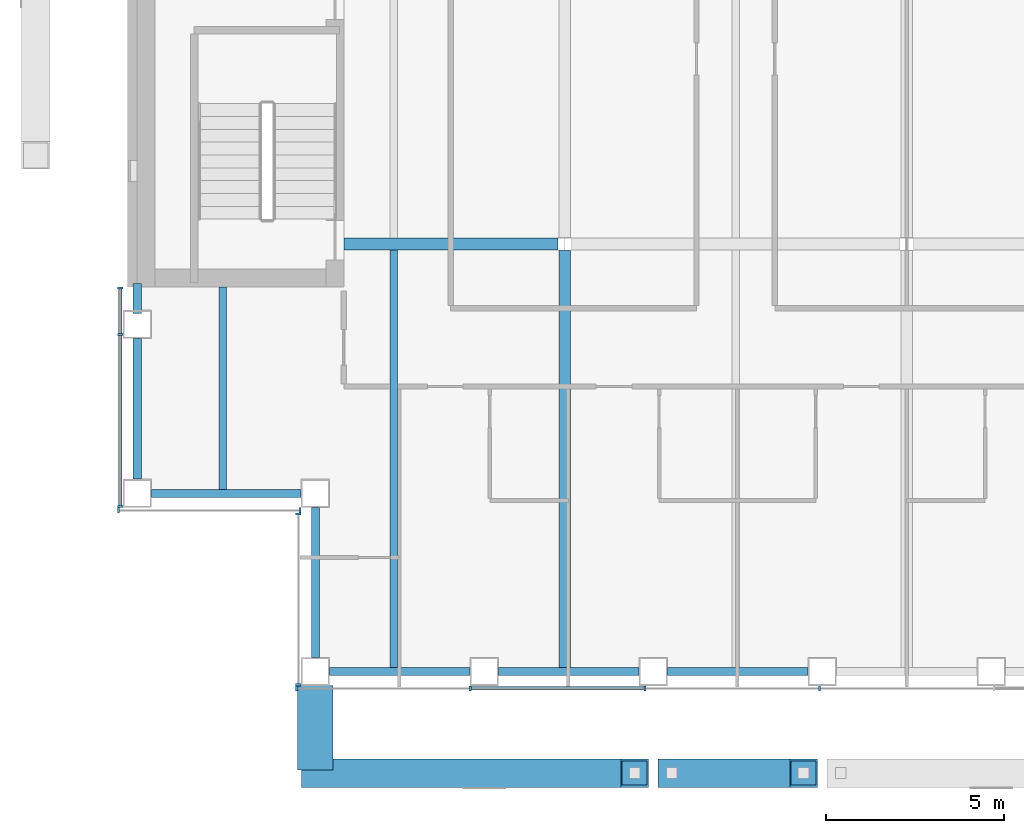
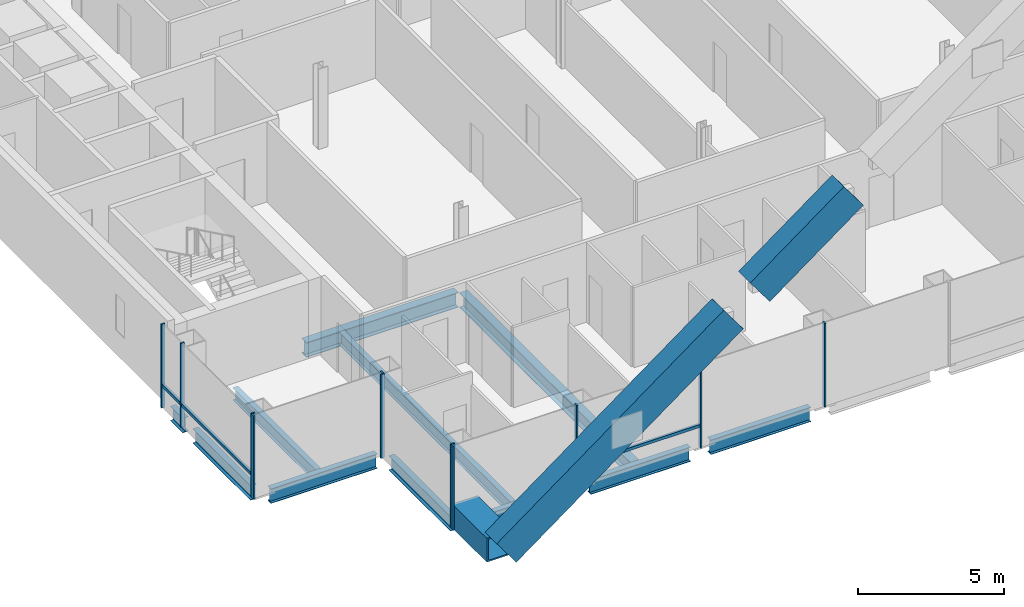
# One storey, part 3 of 17: 16 members, 12 beams, 4 elements without a shape of their own.
"""IFC4 building model written with IfcOpenShell, lengths in metres."""

from ifc_helpers import new_model, si_unit, direction, frame, origin, origin_2d, place, context, subcontext, project, spatial, rectangle, hollow_rectangle, i_section, extrude, material, material_profile, profile_set, type_object, element, aggregate, save


model = new_model("IFC4")

# Units and contexts
model_context = context("Model", 3, precision=1e-05, world=origin(), true_north=direction((0.0, 1.0)))
body_context = subcontext(model_context, "Body", "Model", "MODEL_VIEW")
ifc_project = project(units=[si_unit("LENGTHUNIT", "METRE"), si_unit("AREAUNIT", "SQUARE_METRE"), si_unit("VOLUMEUNIT", "CUBIC_METRE"), si_unit("PLANEANGLEUNIT", "RADIAN"), si_unit("MASSUNIT", "GRAM", prefix="KILO")], contexts=[model_context])

# Site, building, storey
site_placement = place(None, origin())
site = spatial("IfcSite", under=ifc_project, at=site_placement, CompositionType="ELEMENT")
building_placement = place(site_placement, origin())
building = spatial("IfcBuilding", under=site, at=building_placement, Name="Cobrizo Arcos Hotel Tower", CompositionType="ELEMENT")
storey_placement = place(building_placement, frame((0.0, 0.0, 151.5)))
storey = spatial("IfcBuildingStorey", under=building, at=storey_placement, Name="L38", CompositionType="ELEMENT", Elevation=151.5)

# Beam
ifc_material_1 = material(Name="Steel ASTM A572 Grade 50", Category="steel")
ifc_material_profile_1 = material_profile(ifc_material_1, hollow_rectangle(XDim=1.0, YDim=1.0, WallThickness=0.06005859375, at=origin_2d()), Name="BOX 1000X1000X60")
ifc_profile_set_1 = profile_set([ifc_material_profile_1], Name="Steel ASTM A572 Grade 50")
beam_type_1 = type_object("IfcBeamType", Name="BOX 1000X1000X60 brace connector strut", PredefinedType="BEAM", material=ifc_profile_set_1)
beam_1_placement = place(storey_placement, frame((-16.60009765625, -21.989990234375, 0.5), z_axis=(0.0, -1.0, 0.0), x_axis=(1.0, 0.0, 0.0)))
element("IfcBeam", 1, at=beam_1_placement, inside=storey, type_object=beam_type_1, Name="Perimeter brace stub BS1, zone Z3, south face, offset -16.60 m, L38", PredefinedType="BEAM", context=body_context, shape_type="SweptSolid", body=[
    extrude(hollow_rectangle(XDim=1.0, YDim=1.0, WallThickness=0.06005859375, at=origin_2d()), origin(), (0.0, 0.0, 1.0), 2.380126953125),
])

# Members
ifc_material_profile_2 = material_profile(ifc_material_1, hollow_rectangle(XDim=0.800048828125, YDim=1.300048828125, WallThickness=0.06005859375, at=origin_2d()), Name="BOX 800X1300X60")
ifc_profile_set_2 = profile_set([ifc_material_profile_2], Name="Steel ASTM A572 Grade 50")
member_type_1 = type_object("IfcMemberType", Name="BOX 800X1300X60 perimeter brace", PredefinedType="BRACE", material=ifc_profile_set_2)
member_1_placement = place(storey_placement, frame((-16.60009765625, -24.449951171875, 0.5), z_axis=(0.804628681962, 0.0, 0.593778312305), x_axis=(0.0, 1.0, 0.0)))
element("IfcMember", 2, at=member_1_placement, inside=storey, type_object=member_type_1, Name="Perimeter brace PBR3, zone Z3, south face, no. 06", PredefinedType="BRACE", context=body_context, shape_type="SweptSolid", body=[
    extrude(hollow_rectangle(XDim=0.800048828125, YDim=1.300048828125, WallThickness=0.06005859375, at=origin_2d()), origin(), (0.0, 0.0, 1.0), 11.138916015625),
])
member_2_placement = place(storey_placement, frame((-6.591064453125, -24.449951171875, 7.885986328125), z_axis=(0.804612164142, 0.0, 0.593800694943), x_axis=(0.0, 1.0, 0.0)))
element("IfcMember", 3, at=member_2_placement, inside=storey, type_object=member_type_1, Name="Perimeter brace PBR3, zone Z3, south face, no. 06b", PredefinedType="BRACE", context=body_context, shape_type="SweptSolid", body=[
    extrude(hollow_rectangle(XDim=0.800048828125, YDim=1.300048828125, WallThickness=0.06005859375, at=origin_2d()), origin(), (0.0, 0.0, 1.0), 4.59423828125),
])

# Curtain wall, members
ifc_material_2 = material(Name="Aluminium 6063-T6 anodised bronze", Category="aluminium")
curtain_wall_type = type_object("IfcCurtainWallType", Name="CW-A guest facade", PredefinedType="NOTDEFINED", material=ifc_material_2)
curtain_wall_1_placement = place(storey_placement, origin())
curtain_wall_1 = element("IfcCurtainWall", 4, at=curtain_wall_1_placement, inside=storey, type_object=curtain_wall_type, Name="CW-A L38 S face", PredefinedType="NOTDEFINED")
ifc_material_profile_3 = material_profile(ifc_material_2, rectangle(XDim=0.14990234375, YDim=0.06005859375, at=origin_2d()), Name="CW-A mullion 150x60")
ifc_profile_set_3 = profile_set([ifc_material_profile_3], Name="Aluminium 6063-T6 anodised bronze")
member_type_2 = type_object("IfcMemberType", Name="CW-A mullion 150x60", PredefinedType="MULLION", material=ifc_profile_set_3)
member_3_placement = place(storey_placement, frame((-17.1201171875, -22.074951171875, 0.0), z_axis=(0.0, 0.0, 1.0), x_axis=(0.0, -1.0, 0.0)))
member_3 = element("IfcMember", 5, at=member_3_placement, type_object=member_type_2, Name="CW-A mullion 1", PredefinedType="MULLION", context=body_context, shape_type="SweptSolid", body=[
    extrude(rectangle(XDim=0.14990234375, YDim=0.06005859375, at=origin_2d()), origin(), (0.0, 0.0, 1.0), 3.5),
])
member_4_placement = place(storey_placement, frame((-12.25, -22.074951171875, 0.0), z_axis=(0.0, 0.0, 1.0), x_axis=(0.0, -1.0, 0.0)))
member_4 = element("IfcMember", 6, at=member_4_placement, type_object=member_type_2, Name="CW-A mullion 2", PredefinedType="MULLION", context=body_context, shape_type="SweptSolid", body=[
    extrude(rectangle(XDim=0.14990234375, YDim=0.06005859375, at=origin_2d()), origin(), (0.0, 0.0, 1.0), 3.5),
])
member_5_placement = place(storey_placement, frame((-7.35009765625, -22.074951171875, 0.0), z_axis=(0.0, 0.0, 1.0), x_axis=(0.0, -1.0, 0.0)))
member_5 = element("IfcMember", 7, at=member_5_placement, type_object=member_type_2, Name="CW-A mullion 3", PredefinedType="MULLION", context=body_context, shape_type="SweptSolid", body=[
    extrude(rectangle(XDim=0.14990234375, YDim=0.06005859375, at=origin_2d()), origin(), (0.0, 0.0, 1.0), 3.5),
])
member_6_placement = place(storey_placement, frame((-2.449951171875, -22.074951171875, 0.0), z_axis=(0.0, 0.0, 1.0), x_axis=(0.0, -1.0, 0.0)))
member_6 = element("IfcMember", 8, at=member_6_placement, type_object=member_type_2, Name="CW-A mullion 4", PredefinedType="MULLION", context=body_context, shape_type="SweptSolid", body=[
    extrude(rectangle(XDim=0.14990234375, YDim=0.06005859375, at=origin_2d()), origin(), (0.0, 0.0, 1.0), 3.5),
])

curtain_wall_2_placement = place(storey_placement, origin())
curtain_wall_2 = element("IfcCurtainWall", 9, at=curtain_wall_2_placement, inside=storey, type_object=curtain_wall_type, Name="CW-A L38 W face", PredefinedType="NOTDEFINED")
member_7_placement = place(storey_placement, frame((-22.074951171875, -10.830078125, 0.0), z_axis=(0.0, 0.0, 1.0), x_axis=(-1.0, 0.0, 0.0)))
member_7 = element("IfcMember", 10, at=member_7_placement, type_object=member_type_2, Name="CW-A mullion 1", PredefinedType="MULLION", context=body_context, shape_type="SweptSolid", body=[
    extrude(rectangle(XDim=0.14990234375, YDim=0.06005859375, at=origin_2d()), origin(), (0.0, 0.0, 1.0), 3.5),
])
member_8_placement = place(storey_placement, frame((-22.074951171875, -12.142822265625, 0.0), z_axis=(0.0, 0.0, 1.0), x_axis=(-1.0, 0.0, 0.0)))
member_8 = element("IfcMember", 11, at=member_8_placement, type_object=member_type_2, Name="CW-A mullion 2", PredefinedType="MULLION", context=body_context, shape_type="SweptSolid", body=[
    extrude(rectangle(XDim=0.14990234375, YDim=0.06005859375, at=origin_2d()), origin(), (0.0, 0.0, 1.0), 3.5),
])
member_9_placement = place(storey_placement, frame((-22.074951171875, -16.969970703125, 0.0), z_axis=(0.0, 0.0, 1.0), x_axis=(-1.0, 0.0, 0.0)))
member_9 = element("IfcMember", 12, at=member_9_placement, type_object=member_type_2, Name="CW-A mullion 3", PredefinedType="MULLION", context=body_context, shape_type="SweptSolid", body=[
    extrude(rectangle(XDim=0.14990234375, YDim=0.06005859375, at=origin_2d()), origin(), (0.0, 0.0, 1.0), 3.5),
])

curtain_wall_3_placement = place(storey_placement, origin())
curtain_wall_3 = element("IfcCurtainWall", 13, at=curtain_wall_3_placement, inside=storey, type_object=curtain_wall_type, Name="CW-A L38 S face", PredefinedType="NOTDEFINED")
member_10_placement = place(storey_placement, frame((-22.1201171875, -17.074951171875, 0.0), z_axis=(0.0, 0.0, 1.0), x_axis=(0.0, -1.0, 0.0)))
member_10 = element("IfcMember", 14, at=member_10_placement, type_object=member_type_2, Name="CW-A mullion 1", PredefinedType="MULLION", context=body_context, shape_type="SweptSolid", body=[
    extrude(rectangle(XDim=0.14990234375, YDim=0.06005859375, at=origin_2d()), origin(), (0.0, 0.0, 1.0), 3.5),
])
member_11_placement = place(storey_placement, frame((-17.030029296875, -17.074951171875, 0.0), z_axis=(0.0, 0.0, 1.0), x_axis=(0.0, -1.0, 0.0)))
member_11 = element("IfcMember", 15, at=member_11_placement, type_object=member_type_2, Name="CW-A mullion 2", PredefinedType="MULLION", context=body_context, shape_type="SweptSolid", body=[
    extrude(rectangle(XDim=0.14990234375, YDim=0.06005859375, at=origin_2d()), origin(), (0.0, 0.0, 1.0), 3.5),
])
aggregate(curtain_wall_3, [member_10, member_11])

curtain_wall_4_placement = place(storey_placement, origin())
curtain_wall_4 = element("IfcCurtainWall", 16, at=curtain_wall_4_placement, inside=storey, type_object=curtain_wall_type, Name="CW-A L38 W face", PredefinedType="NOTDEFINED")
member_12_placement = place(storey_placement, frame((-17.074951171875, -17.179931640625, 0.0), z_axis=(0.0, 0.0, 1.0), x_axis=(-1.0, 0.0, 0.0)))
member_12 = element("IfcMember", 17, at=member_12_placement, type_object=member_type_2, Name="CW-A mullion 1", PredefinedType="MULLION", context=body_context, shape_type="SweptSolid", body=[
    extrude(rectangle(XDim=0.14990234375, YDim=0.06005859375, at=origin_2d()), origin(), (0.0, 0.0, 1.0), 3.5),
])
member_13_placement = place(storey_placement, frame((-17.074951171875, -21.969970703125, 0.0), z_axis=(0.0, 0.0, 1.0), x_axis=(-1.0, 0.0, 0.0)))
member_13 = element("IfcMember", 18, at=member_13_placement, type_object=member_type_2, Name="CW-A mullion 2", PredefinedType="MULLION", context=body_context, shape_type="SweptSolid", body=[
    extrude(rectangle(XDim=0.14990234375, YDim=0.06005859375, at=origin_2d()), origin(), (0.0, 0.0, 1.0), 3.5),
])
aggregate(curtain_wall_4, [member_12, member_13])

# Member
ifc_material_profile_4 = material_profile(ifc_material_2, rectangle(XDim=0.10009765625, YDim=0.1201171875, at=origin_2d()), Name="CW-A transom 120x100")
ifc_profile_set_4 = profile_set([ifc_material_profile_4], Name="Aluminium 6063-T6 anodised bronze")
member_type_3 = type_object("IfcMemberType", Name="CW-A transom 120x100", PredefinedType="USERDEFINED", material=ifc_profile_set_4)
member_14_placement = place(storey_placement, frame((-12.219970703125, -22.074951171875, 0.929931640625), z_axis=(1.0, 0.0, 0.0), x_axis=(0.0, 1.0, 0.0)))
member_14 = element("IfcMember", 19, at=member_14_placement, type_object=member_type_3, Name="CW-A transom 1367", ObjectType="TRANSOM", PredefinedType="USERDEFINED", context=body_context, shape_type="SweptSolid", body=[
    extrude(rectangle(XDim=0.10009765625, YDim=0.1201171875, at=origin_2d()), origin(), (0.0, 0.0, 1.0), 4.840087890625),
])

aggregate(curtain_wall_1, [member_3, member_4, member_5, member_6, member_14])

member_15_placement = place(storey_placement, frame((-22.074951171875, -10.860107421875, 0.929931640625), z_axis=(0.0, -1.0, 0.0), x_axis=(1.0, 0.0, 0.0)))
member_15 = element("IfcMember", 20, at=member_15_placement, type_object=member_type_3, Name="CW-A transom 1392", ObjectType="TRANSOM", PredefinedType="USERDEFINED", context=body_context, shape_type="SweptSolid", body=[
    extrude(rectangle(XDim=0.10009765625, YDim=0.1201171875, at=origin_2d()), origin(), (0.0, 0.0, 1.0), 1.252685546875),
])

member_16_placement = place(storey_placement, frame((-22.074951171875, -12.1728515625, 0.929931640625), z_axis=(0.0, -1.0, 0.0), x_axis=(1.0, 0.0, 0.0)))
member_16 = element("IfcMember", 21, at=member_16_placement, type_object=member_type_3, Name="CW-A transom 1393", ObjectType="TRANSOM", PredefinedType="USERDEFINED", context=body_context, shape_type="SweptSolid", body=[
    extrude(rectangle(XDim=0.10009765625, YDim=0.1201171875, at=origin_2d()), origin(), (0.0, 0.0, 1.0), 4.76708984375),
])

aggregate(curtain_wall_2, [member_7, member_8, member_9, member_15, member_16])

# Beams
ifc_material_3 = material(Name="Steel ASTM A992 Grade 50", Category="steel")
ifc_material_profile_5 = material_profile(ifc_material_3, i_section(OverallWidth=0.209228515625, OverallDepth=0.533447265625, WebThickness=0.01025390625, FlangeThickness=0.015625, at=origin_2d()), Name="W21X62")
ifc_profile_set_5 = profile_set([ifc_material_profile_5], Name="Steel ASTM A992 Grade 50")
beam_type_2 = type_object("IfcBeamType", Name="W21X62 joist", PredefinedType="JOIST", material=ifc_profile_set_5)
beam_2_placement = place(storey_placement, frame((-19.199951171875, -16.510009765625, -0.416748046875), z_axis=(0.0, 1.0, 0.0), x_axis=(-1.0, 0.0, 0.0)))
element("IfcBeam", 22, at=beam_2_placement, inside=storey, type_object=beam_type_2, Name="Floor joist J1, L38, no. 001", PredefinedType="JOIST", context=body_context, shape_type="SweptSolid", body=[
    extrude(i_section(OverallWidth=0.209228515625, OverallDepth=0.533447265625, WebThickness=0.01025390625, FlangeThickness=0.015625, at=origin_2d()), origin(), (0.0, 0.0, 1.0), 5.699951171875),
])
beam_3_placement = place(storey_placement, frame((-14.39990234375, -21.510009765625, -0.416748046875), z_axis=(0.0, 1.0, 0.0), x_axis=(-1.0, 0.0, 0.0)))
element("IfcBeam", 23, at=beam_3_placement, inside=storey, type_object=beam_type_2, Name="Floor joist J1, L38, no. 003", PredefinedType="JOIST", context=body_context, shape_type="SweptSolid", body=[
    extrude(i_section(OverallWidth=0.209228515625, OverallDepth=0.533447265625, WebThickness=0.01025390625, FlangeThickness=0.015625, at=origin_2d()), origin(), (0.0, 0.0, 1.0), 11.74609375),
])
ifc_material_profile_6 = material_profile(ifc_material_3, i_section(OverallWidth=0.32763671875, OverallDepth=0.622314453125, WebThickness=0.015380859375, FlangeThickness=0.0244140625, at=origin_2d()), Name="W24X131")
ifc_profile_set_6 = profile_set([ifc_material_profile_6], Name="Steel ASTM A992 Grade 50")
beam_type_3 = type_object("IfcBeamType", Name="W24X131 girder", PredefinedType="BEAM", material=ifc_profile_set_6)
beam_4_placement = place(storey_placement, frame((-15.7900390625, -9.60009765625, -0.461181640625), z_axis=(1.0, 0.0, 0.0), x_axis=(0.0, 1.0, 0.0)))
element("IfcBeam", 24, at=beam_4_placement, inside=storey, type_object=beam_type_3, Name="Floor girder G1, L38, no. 001", PredefinedType="BEAM", context=body_context, shape_type="SweptSolid", body=[
    extrude(i_section(OverallWidth=0.32763671875, OverallDepth=0.622314453125, WebThickness=0.015380859375, FlangeThickness=0.0244140625, at=origin_2d()), origin(), (0.0, 0.0, 1.0), 6.00341796875),
])
beam_5_placement = place(storey_placement, frame((-9.60009765625, -21.510009765625, -0.461181640625), z_axis=(0.0, 1.0, 0.0), x_axis=(-1.0, 0.0, 0.0)))
element("IfcBeam", 25, at=beam_5_placement, inside=storey, type_object=beam_type_3, Name="Floor girder G1, L38, no. 013", PredefinedType="BEAM", context=body_context, shape_type="SweptSolid", body=[
    extrude(i_section(OverallWidth=0.32763671875, OverallDepth=0.622314453125, WebThickness=0.015380859375, FlangeThickness=0.0244140625, at=origin_2d()), origin(), (0.0, 0.0, 1.0), 11.723388671875),
])
ifc_material_profile_7 = material_profile(ifc_material_3, i_section(OverallWidth=0.228271484375, OverallDepth=0.607177734375, WebThickness=0.01123046875, FlangeThickness=0.017333984375, at=origin_2d()), Name="W24X76")
ifc_profile_set_7 = profile_set([ifc_material_profile_7], Name="Steel ASTM A992 Grade 50")
beam_type_4 = type_object("IfcBeamType", Name="W24X76 spandrel", PredefinedType="SPANDREL", material=ifc_profile_set_7)
beam_6_placement = place(storey_placement, frame((-16.199951171875, -21.60009765625, -0.45361328125), z_axis=(1.0, 0.0, 0.0), x_axis=(0.0, 1.0, 0.0)))
element("IfcBeam", 26, at=beam_6_placement, inside=storey, type_object=beam_type_4, Name="Spandrel beam W24X76, L38, no. 001", PredefinedType="SPANDREL", context=body_context, shape_type="SweptSolid", body=[
    extrude(i_section(OverallWidth=0.228271484375, OverallDepth=0.607177734375, WebThickness=0.01123046875, FlangeThickness=0.017333984375, at=origin_2d()), origin(), (0.0, 0.0, 1.0), 3.94287109375),
])
for number, where, z_axis, x_axis, name in (
    (27, (-11.45703125, -21.60009765625, -0.45361328125), (1.0, 0.0, 0.0), (0.0, 1.0, 0.0), "Spandrel beam W24X76, L38, no. 002"),
    (28, (-6.714111328125, -21.60009765625, -0.45361328125), (1.0, 0.0, 0.0), (0.0, 1.0, 0.0), "Spandrel beam W24X76, L38, no. 003"),
):
    element("IfcBeam", number, at=place(storey_placement, frame(where, z_axis=z_axis, x_axis=x_axis)), inside=storey, type_object=beam_type_4, Name=name, PredefinedType="SPANDREL", context=body_context, shape_type="SweptSolid", body=[
        extrude(i_section(OverallWidth=0.228271484375, OverallDepth=0.607177734375, WebThickness=0.01123046875, FlangeThickness=0.017333984375, at=origin_2d()), origin(), (0.0, 0.0, 1.0), 3.943115234375),
    ])
beam_7_placement = place(storey_placement, frame((-21.60009765625, -10.7099609375, -0.45361328125), z_axis=(0.0, -1.0, 0.0), x_axis=(1.0, 0.0, 0.0)))
element("IfcBeam", 29, at=beam_7_placement, inside=storey, type_object=beam_type_4, Name="Spandrel beam W24X76, L38, no. 027", PredefinedType="SPANDREL", context=body_context, shape_type="SweptSolid", body=[
    extrude(i_section(OverallWidth=0.228271484375, OverallDepth=0.607177734375, WebThickness=0.01123046875, FlangeThickness=0.017333984375, at=origin_2d()), origin(), (0.0, 0.0, 1.0), 0.846923828125),
])
beam_8_placement = place(storey_placement, frame((-21.60009765625, -12.257080078125, -0.45361328125), z_axis=(0.0, -1.0, 0.0), x_axis=(1.0, 0.0, 0.0)))
element("IfcBeam", 30, at=beam_8_placement, inside=storey, type_object=beam_type_4, Name="Spandrel beam W24X76, L38, no. 028", PredefinedType="SPANDREL", context=body_context, shape_type="SweptSolid", body=[
    extrude(i_section(OverallWidth=0.228271484375, OverallDepth=0.607177734375, WebThickness=0.01123046875, FlangeThickness=0.017333984375, at=origin_2d()), origin(), (0.0, 0.0, 1.0), 3.94287109375),
])
for number, where, z_axis, x_axis, name in (
    (31, (-21.199951171875, -16.60009765625, -0.45361328125), (1.0, 0.0, 0.0), (0.0, 1.0, 0.0), "Spandrel beam W24X76, L38, no. 029"),
    (32, (-16.60009765625, -17.0, -0.45361328125), (0.0, -1.0, 0.0), (1.0, 0.0, 0.0), "Spandrel beam W24X76, L38, no. 030"),
):
    element("IfcBeam", number, at=place(storey_placement, frame(where, z_axis=z_axis, x_axis=x_axis)), inside=storey, type_object=beam_type_4, Name=name, PredefinedType="SPANDREL", context=body_context, shape_type="SweptSolid", body=[
        extrude(i_section(OverallWidth=0.228271484375, OverallDepth=0.607177734375, WebThickness=0.01123046875, FlangeThickness=0.017333984375, at=origin_2d()), origin(), (0.0, 0.0, 1.0), 4.199951171875),
    ])

save(model, "model.ifc")
